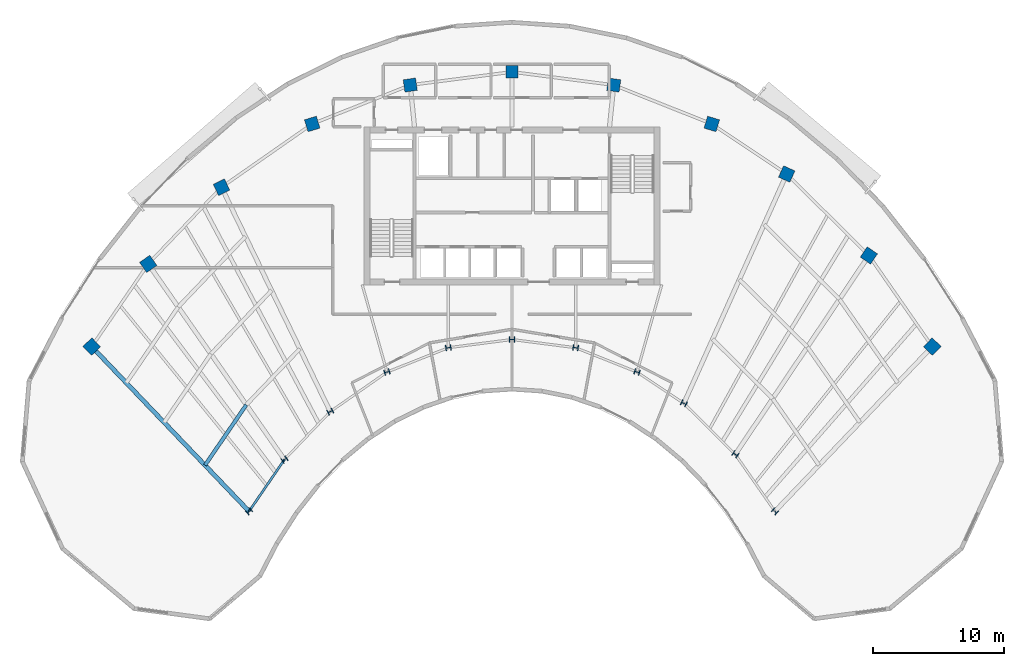
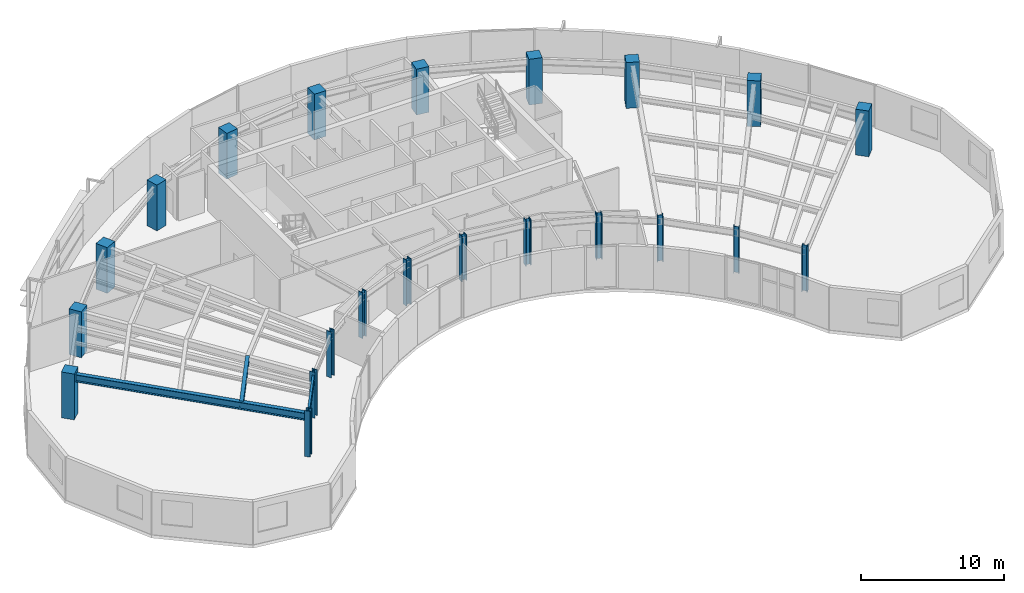
# One storey, part 1 of 14: 22 columns, 3 beams.
"""IFC4 building model written with IfcOpenShell, lengths in metres."""

from ifc_helpers import new_model, si_unit, direction, frame, origin, origin_2d, place, context, subcontext, project, spatial, rectangle, i_section, extrude, source, transform, mapped, material, material_profile, profile_set, type_object, type_shapes, element, save


model = new_model("IFC4")

# Units and contexts
model_context = context("Model", 3, precision=1e-05, world=origin(), true_north=direction((0.0, 1.0)))
body_context = subcontext(model_context, "Body", "Model", "MODEL_VIEW")
ifc_project = project(units=[si_unit("LENGTHUNIT", "METRE"), si_unit("AREAUNIT", "SQUARE_METRE"), si_unit("VOLUMEUNIT", "CUBIC_METRE"), si_unit("PLANEANGLEUNIT", "RADIAN"), si_unit("MASSUNIT", "GRAM", prefix="KILO")], contexts=[model_context])

# Site, building, storey
site_placement = place(None, origin())
site = spatial("IfcSite", under=ifc_project, at=site_placement, CompositionType="ELEMENT")
building_placement = place(site_placement, origin())
building = spatial("IfcBuilding", under=site, at=building_placement, Name="Breltana Convention Tower", CompositionType="ELEMENT")
storey_placement = place(building_placement, frame((0.0, 0.0, 211.800048828125)))
storey = spatial("IfcBuildingStorey", under=building, at=storey_placement, Name="L51", CompositionType="ELEMENT", Elevation=211.800048828125)

# Columns
ifc_material_1 = material(Name="Steel ASTM A992 Grade 50", Category="steel")
ifc_material_profile_1 = material_profile(ifc_material_1, i_section(OverallWidth=0.406005859375, OverallDepth=0.416015625, WebThickness=0.02978515625, FlangeThickness=0.048095703125, at=origin_2d()), Name="W14X257")
ifc_profile_set_1 = profile_set([ifc_material_profile_1], Name="Steel ASTM A992 Grade 50")
column_type_1 = type_object("IfcColumnType", Name="COL-STL-W14X257", PredefinedType="COLUMN", material=ifc_profile_set_1)
shared_shape_1 = source(origin(), body_context, "Body", "SweptSolid", [
    extrude(i_section(OverallWidth=0.406005859375, OverallDepth=0.416015625, WebThickness=0.02978515625, FlangeThickness=0.048095703125, at=origin_2d()), origin(), (0.0, 0.0, 1.0), 3.89990234375),
])
for number, where, z_axis, x_axis, name in (
    (1, (27.984619140625, 42.95458984375, 0.0), (0.0, 0.0, 1.0), (-0.690756218984, 0.723087716626, 0.0), "L51 Tower Column R01-IN"),
    (2, (30.67724609375, 46.892333984375, 0.0), (0.0, 0.0, 1.0), (-0.571143442153, 0.820850271661, 0.0), "L51 Tower Column R02-IN"),
    (3, (34.166259765625, 50.544921875, 0.0), (0.0, 0.0, 1.0), (-0.436173672171, 0.899862504889, 0.0), "L51 Tower Column R03-IN"),
    (4, (38.485107421875, 53.5576171875, 0.0), (0.0, 0.0, 1.0), (-0.288697611798, 0.957420330337, 0.0), "L51 Tower Column R04-IN"),
    (5, (43.153564453125, 55.41064453125, 0.0), (0.0, 0.0, 1.0), (-0.143492621991, 0.98965138682, 0.0), "L51 Tower Column R05-IN"),
    (6, (48.0, 56.035888671875, 0.0), (0.0, 0.0, 1.0), (0.0, 1.0, 0.0), "L51 Tower Column R06-IN"),
    (7, (52.846435546875, 55.41064453125, 0.0), (0.0, 0.0, 1.0), (0.143492621991, 0.98965138682, 0.0), "L51 Tower Column R07-IN"),
    (8, (57.514892578125, 53.5576171875, 0.0), (0.0, 0.0, 1.0), (0.288697611798, 0.957420330337, 0.0), "L51 Tower Column R08-IN"),
    (9, (61.08203125, 51.174560546875, 0.0), (0.0, 0.0, 1.0), (0.409126902895, 0.912477494148, 0.0), "L51 Tower Column R09-IN"),
    (10, (64.995849609375, 47.293701171875, 0.0), (0.0, 0.0, 1.0), (0.55774510898, 0.830012285095, 0.0), "L51 Tower Column R10-IN"),
    (11, (68.015380859375, 42.95458984375, 0.0), (0.0, 0.0, 1.0), (0.690756218984, 0.723087716626, 0.0), "L51 Tower Column R11-IN"),
):
    element("IfcColumn", number, at=place(storey_placement, frame(where, z_axis=z_axis, x_axis=x_axis)), inside=storey, type_object=column_type_1, Name=name, PredefinedType="COLUMN", context=body_context, shape_type="MappedRepresentation", body=[
        mapped(shared_shape_1, transform((0.0, 0.0, 0.0), scale=1.0)),
    ])
ifc_material_2 = material(Name="Concrete C50/60", Category="concrete")
ifc_material_profile_2 = material_profile(ifc_material_2, rectangle(XDim=0.949951171875, YDim=0.949951171875, at=origin_2d()), Name="RC-COL-950X950")
ifc_profile_set_2 = profile_set([ifc_material_profile_2], Name="Concrete C50/60")
column_type_2 = type_object("IfcColumnType", Name="COL-RC-950", PredefinedType="COLUMN", material=ifc_profile_set_2)
shared_shape_2 = source(origin(), body_context, "Body", "SweptSolid", [
    extrude(rectangle(XDim=0.949951171875, YDim=0.949951171875, at=origin_2d()), origin(), (0.0, 0.0, 1.0), 3.89990234375),
])
for number, where, z_axis, x_axis, name in (
    (12, (16.0068359375, 55.494384765625, 0.0), (0.0, 0.0, 1.0), (-0.690756218984, 0.723087716626, 0.0), "L51 Tower Column R01-OUT"),
    (13, (20.310791015625, 61.78857421875, 0.0), (0.0, 0.0, 1.0), (-0.571143442153, 0.820850271661, 0.0), "L51 Tower Column R02-OUT"),
    (14, (25.8876953125, 67.626953125, 0.0), (0.0, 0.0, 1.0), (-0.436173672171, 0.899862504889, 0.0), "L51 Tower Column R03-OUT"),
    (15, (32.791015625, 72.4423828125, 0.0), (0.0, 0.0, 1.0), (-0.288697611798, 0.957420330337, 0.0), "L51 Tower Column R04-OUT"),
    (16, (40.253173828125, 75.404296875, 0.0), (0.0, 0.0, 1.0), (-0.143492621991, 0.98965138682, 0.0), "L51 Tower Column R05-OUT"),
    (17, (48.0, 76.404052734375, 0.0), (0.0, 0.0, 1.0), (0.0, 1.0, 0.0), "L51 Tower Column R06-OUT"),
    (18, (55.746826171875, 75.404296875, 0.0), (0.0, 0.0, 1.0), (0.143492621991, 0.98965138682, 0.0), "L51 Tower Column R07-OUT"),
    (19, (63.208984375, 72.4423828125, 0.0), (0.0, 0.0, 1.0), (0.288697611798, 0.957420330337, 0.0), "L51 Tower Column R08-OUT"),
    (20, (68.910400390625, 68.63330078125, 0.0), (0.0, 0.0, 1.0), (0.409126902895, 0.912477494148, 0.0), "L51 Tower Column R09-OUT"),
    (21, (75.166748046875, 62.43017578125, 0.0), (0.0, 0.0, 1.0), (0.55774510898, 0.830012285095, 0.0), "L51 Tower Column R10-OUT"),
    (22, (79.9931640625, 55.494384765625, 0.0), (0.0, 0.0, 1.0), (0.690756218984, 0.723087716626, 0.0), "L51 Tower Column R11-OUT"),
):
    element("IfcColumn", number, at=place(storey_placement, frame(where, z_axis=z_axis, x_axis=x_axis)), inside=storey, type_object=column_type_2, Name=name, PredefinedType="COLUMN", context=body_context, shape_type="MappedRepresentation", body=[
        mapped(shared_shape_2, transform((0.0, 0.0, 0.0), scale=1.0)),
    ])

# Beams
ifc_material_profile_3 = material_profile(ifc_material_1, i_section(OverallWidth=0.280029296875, OverallDepth=0.462890625, WebThickness=0.0107421875, FlangeThickness=0.017333984375, at=origin_2d()), Name="W18X76")
ifc_profile_set_3 = profile_set([ifc_material_profile_3], Name="Steel ASTM A992 Grade 50")
beam_type_1 = type_object("IfcBeamType", Name="BM-JSG-06", PredefinedType="JOIST", material=ifc_profile_set_3)
shared_shape_3 = source(origin(), body_context, "Body", "SweptSolid", [
    extrude(i_section(OverallWidth=0.280029296875, OverallDepth=0.462890625, WebThickness=0.0107421875, FlangeThickness=0.017333984375, at=origin_2d()), origin(), (0.0, 0.0, 1.0), 5.569580078125),
])
type_shapes(beam_type_1, [shared_shape_3])
beam_1_placement = place(storey_placement, frame((24.630615234375, 46.4658203125, 3.408447265625), z_axis=(0.564493760458, 0.825437335237, 0.0), x_axis=(-0.825437335237, 0.564493760458, 0.0)))
element("IfcBeam", 23, at=beam_1_placement, inside=storey, type_object=beam_type_1, Name="L51 Composite Floor Joist 01.1", PredefinedType="JOIST", context=body_context, shape_type="MappedRepresentation", body=[
    mapped(shared_shape_3, transform((0.0, 0.0, 0.0), scale=1.0)),
])
ifc_material_profile_4 = material_profile(ifc_material_1, i_section(OverallWidth=0.166015625, OverallDepth=0.534912109375, WebThickness=0.01025390625, FlangeThickness=0.0166015625, at=origin_2d()), Name="W21X57")
ifc_profile_set_4 = profile_set([ifc_material_profile_4], Name="Steel ASTM A992 Grade 50")
beam_type_2 = type_object("IfcBeamType", Name="BM-BM-W21X57", PredefinedType="BEAM", material=ifc_profile_set_4)
shared_shape_4 = source(origin(), body_context, "Body", "SweptSolid", [
    extrude(i_section(OverallWidth=0.166015625, OverallDepth=0.534912109375, WebThickness=0.01025390625, FlangeThickness=0.0166015625, at=origin_2d()), origin(), (0.0, 0.0, 1.0), 4.770263671875),
])
beam_2_placement = place(storey_placement, frame((27.984619140625, 42.95458984375, 3.37255859375), z_axis=(0.564452719055, 0.82546540082, 0.0), x_axis=(-0.82546540082, 0.564452719055, 0.0)))
element("IfcBeam", 24, at=beam_2_placement, inside=storey, type_object=beam_type_2, Name="L51 Inner Ring Beam 01", PredefinedType="BEAM", context=body_context, shape_type="MappedRepresentation", body=[
    mapped(shared_shape_4, transform((0.0, 0.0, 0.0), scale=1.0)),
])
ifc_material_profile_5 = material_profile(ifc_material_1, i_section(OverallWidth=0.326904296875, OverallDepth=0.6220703125, WebThickness=0.015380859375, FlangeThickness=0.0244140625, at=origin_2d()), Name="W24X131")
ifc_profile_set_5 = profile_set([ifc_material_profile_5], Name="Steel ASTM A992 Grade 50")
beam_type_3 = type_object("IfcBeamType", Name="BM-RG-W24X131", PredefinedType="USERDEFINED", material=ifc_profile_set_5)
shared_shape_5 = source(origin(), body_context, "Body", "SweptSolid", [
    extrude(i_section(OverallWidth=0.326904296875, OverallDepth=0.6220703125, WebThickness=0.015380859375, FlangeThickness=0.0244140625, at=origin_2d()), origin(), (0.0, 0.0, 1.0), 17.341064453125),
])
type_shapes(beam_type_3, [shared_shape_5])
beam_3_placement = place(storey_placement, frame((27.984619140625, 42.95458984375, 3.328857421875), z_axis=(-0.690716462293, 0.723125693581, 0.0), x_axis=(-0.723125693581, -0.690716462293, 0.0)))
element("IfcBeam", 25, at=beam_3_placement, inside=storey, type_object=beam_type_3, Name="L51 Radial Floor Girder R01", ObjectType="GIRDER", PredefinedType="USERDEFINED", context=body_context, shape_type="MappedRepresentation", body=[
    mapped(shared_shape_5, transform((0.0, 0.0, 0.0), scale=1.0)),
])

save(model, "model.ifc")
